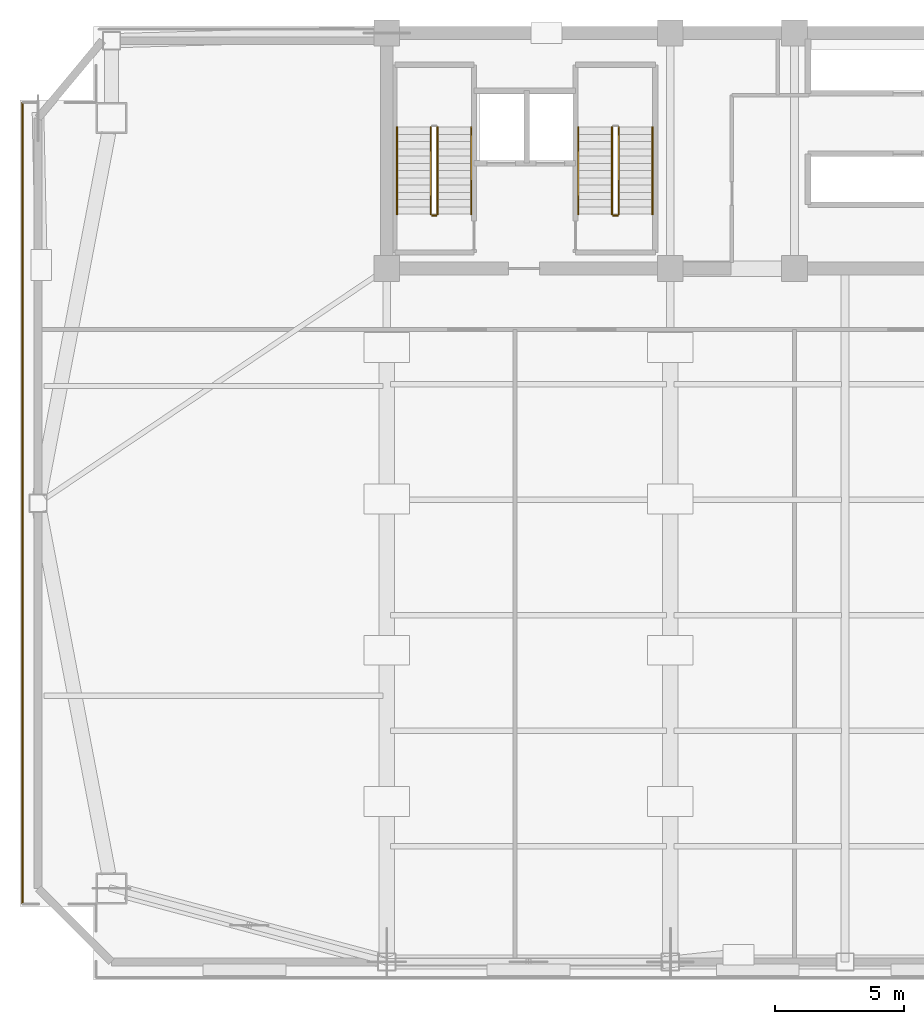
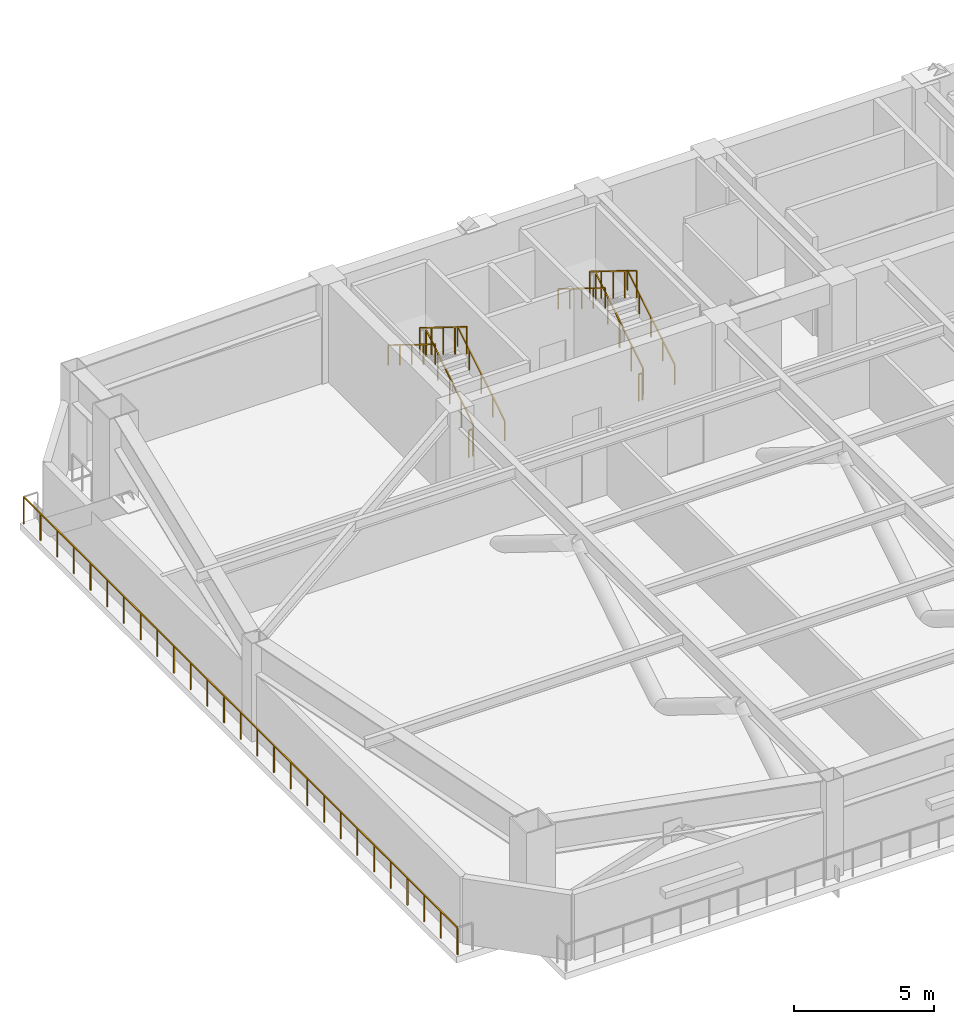
# One storey, part 7 of 11: 11 railings.
"""IFC4 building model written with IfcOpenShell, lengths in metres."""

import ifcopenshell
import ifcopenshell.guid

model = None  # the IFC model being written
_history = None  # IfcOwnerHistory: only IFC2X3 demands one
_inside = {}  # id of a spatial element -> (the spatial element, [elements in it])
_under = {}  # id of a project, library or spatial element -> (it, [spatial elements below it])
_declared = {}  # id of a project -> (the project, [libraries it declares])
_typed = {}  # id of a type object -> (the type object, [elements of that type])
_made_of = {}  # id of a material, layer set ... -> (it, [elements and type objects made of it])


def new_model(schema):
    """Start an empty IFC model of exactly this schema.

    Asked for "IFC4X3", IfcOpenShell would pick the latest addendum, in which some entities
    have other attributes; the version numbers below select the first issue.
    IFC2X3 requires an IfcOwnerHistory on every rooted entity: one is made here for all.
    """
    global model, _history
    if schema == "IFC4X3":
        model = ifcopenshell.file(schema_version=(4, 3, 0, 0))
    else:
        model = ifcopenshell.file(schema=schema)
    _inside.clear()
    _under.clear()
    _declared.clear()
    _typed.clear()
    _made_of.clear()
    _history = None
    if model.schema == "IFC2X3":
        org = make("IfcOrganization", Name="unknown")
        user = make(
            "IfcPersonAndOrganization",
            ThePerson=make("IfcPerson", FamilyName="unknown"),
            TheOrganization=org,
        )
        app = make(
            "IfcApplication",
            ApplicationDeveloper=org,
            Version="unknown",
            ApplicationFullName="unknown",
            ApplicationIdentifier="unknown",
        )
        _history = make(
            "IfcOwnerHistory",
            OwningUser=user,
            OwningApplication=app,
            ChangeAction="ADDED",
            CreationDate=0,
        )
    return model


def make(cls, **values):
    """One entity of the class cls with the attributes given. An attribute that is None is left unset."""
    return model.create_entity(
        cls, **{name: value for name, value in values.items() if value is not None}
    )


def rooted(cls, **values):
    """An entity with a GlobalId (a new one), such as an element, a storey or a relation."""
    return make(cls, GlobalId=ifcopenshell.guid.new(), OwnerHistory=_history, **values)


def si_unit(unit_type, name, prefix=None):
    """IfcSIUnit, for example si_unit("LENGTHUNIT", "METRE", prefix="MILLI")."""
    return make("IfcSIUnit", UnitType=unit_type, Prefix=prefix, Name=name)


def assignment(units):
    """IfcUnitAssignment: the units of a project."""
    return None if units is None else make("IfcUnitAssignment", Units=units)


def point(xyz):
    """IfcCartesianPoint."""
    return None if xyz is None else make("IfcCartesianPoint", Coordinates=xyz)


def direction(xyz):
    """IfcDirection."""
    return None if xyz is None else make("IfcDirection", DirectionRatios=xyz)


def frame(location, z_axis=None, x_axis=None):
    """IfcAxis2Placement3D, a coordinate frame: its origin and axes. An axis left out is left unset."""
    return make(
        "IfcAxis2Placement3D",
        Location=point(location),
        Axis=direction(z_axis),
        RefDirection=direction(x_axis),
    )


def frame_2d(location, x_axis=None):
    """IfcAxis2Placement2D, a coordinate frame in the plane: its origin and x axis."""
    return make(
        "IfcAxis2Placement2D", Location=point(location), RefDirection=direction(x_axis)
    )


def origin():
    """The frame at (0, 0, 0) with its axes left unset."""
    return frame((0.0, 0.0, 0.0))


def origin_2d():
    """The frame at (0, 0) in the plane with its x axis left unset."""
    return frame_2d((0.0, 0.0))


def place(relative_to, where):
    """IfcLocalPlacement: puts the frame where relative to a parent placement (None: the world)."""
    return make(
        "IfcLocalPlacement", PlacementRelTo=relative_to, RelativePlacement=where
    )


def context(
    kind, dimensions, precision=None, world=None, true_north=None, identifier=None
):
    """IfcGeometricRepresentationContext, for example the 3D "Model" context."""
    return make(
        "IfcGeometricRepresentationContext",
        ContextIdentifier=identifier,
        ContextType=kind,
        CoordinateSpaceDimension=dimensions,
        Precision=precision,
        WorldCoordinateSystem=world,
        TrueNorth=true_north,
    )


def subcontext(parent, identifier, kind, view, scale=None):
    """IfcGeometricRepresentationSubContext, for example "Body" below "Model"."""
    return make(
        "IfcGeometricRepresentationSubContext",
        ContextIdentifier=identifier,
        ContextType=kind,
        ParentContext=parent,
        TargetScale=scale,
        TargetView=view,
    )


def project(units=None, contexts=None):
    """IfcProject with its units and contexts."""
    return rooted(
        "IfcProject",
        Name="project",
        RepresentationContexts=contexts,
        UnitsInContext=assignment(units),
    )


def spatial(cls, under=None, at=None, **own):
    """A site, building, storey or space (cls), placed at a placement, below another one or the project."""
    s = rooted(cls, ObjectPlacement=at, **own)
    if under is not None:
        _under.setdefault(under.id(), (under, []))[1].append(s)
    return s


def profile(cls, at=None, kind="AREA", **sizes):
    """A parametric profile (cls). Its sizes go by their IFC names, for example OverallWidth=200.0."""
    return make(cls, ProfileType=kind, Position=at, **sizes)


def rectangle(**sizes):
    """IfcRectangleProfileDef."""
    return profile("IfcRectangleProfileDef", **sizes)


def extrude(swept, where, along, depth):
    """IfcExtrudedAreaSolid: the profile swept, set in the frame where, extruded along a direction by depth."""
    return make(
        "IfcExtrudedAreaSolid",
        SweptArea=swept,
        Position=where,
        ExtrudedDirection=direction(along),
        Depth=depth,
    )


def shape(context_of_items, identifier, shape_type, items):
    """IfcShapeRepresentation: the items that make up one representation, for example the "Body"."""
    return make(
        "IfcShapeRepresentation",
        ContextOfItems=context_of_items,
        RepresentationIdentifier=identifier,
        RepresentationType=shape_type,
        Items=items,
    )


def material(Name=None, Category=None):
    """IfcMaterial."""
    return make("IfcMaterial", Name=Name, Category=Category)


def made_of(thing, what):
    """Note that an element or type object is made of a material, layer set ...; save() writes the relation."""
    if what is not None:
        _made_of.setdefault(what.id(), (what, []))[1].append(thing)
    return thing


def type_object(cls, material=None, **own):
    """A type object (cls), such as IfcWallType, which elements share."""
    return made_of(rooted(cls, **own), material)


def element(
    cls,
    number,
    at=None,
    inside=None,
    cuts=None,
    type_object=None,
    material=None,
    context=None,
    identifier="Body",
    shape_type=None,
    held_by="IfcProductDefinitionShape",
    body=None,
    shapes=None,
    **own,
):
    """One element of the class cls, such as IfcWall. Its Tag is "e" and its number.

    at: its placement. inside: the storey or other place that contains it. cuts: it is an
    opening in that element (IfcRelVoidsElement). A single representation is given by context,
    identifier, shape_type and body (its items); several are given by shapes. held_by: the class
    of the entity that holds the representations. save() writes the other relations.
    """
    e = rooted(cls, Tag="e%d" % number, ObjectPlacement=at, **own)
    if body is not None:
        shapes = [shape(context, identifier, shape_type, body)]
    if shapes is not None:
        e.Representation = make(held_by, Representations=shapes)
    if inside is not None:
        _inside.setdefault(inside.id(), (inside, []))[1].append(e)
    if cuts is not None:
        rooted(
            "IfcRelVoidsElement", RelatingBuildingElement=cuts, RelatedOpeningElement=e
        )
    if type_object is not None:
        _typed.setdefault(type_object.id(), (type_object, []))[1].append(e)
    return made_of(e, material)


def aggregate(whole, parts):
    """IfcRelAggregates: a whole, such as a stair, and the parts it consists of."""
    return rooted("IfcRelAggregates", RelatingObject=whole, RelatedObjects=parts)


def save(model, path):
    """Write the relations noted so far, then the file.

    IfcRelAggregates (storeys below a building ...), IfcRelContainedInSpatialStructure (elements
    in a storey), IfcRelDefinesByType, IfcRelAssociatesMaterial and IfcRelDeclares: one each for
    every whole, place, type object, material and project.
    """
    for whole, parts in _under.values():
        aggregate(whole, parts)
    for where, things in _inside.values():
        rooted(
            "IfcRelContainedInSpatialStructure",
            RelatedElements=things,
            RelatingStructure=where,
        )
    for kind, things in _typed.values():
        rooted("IfcRelDefinesByType", RelatedObjects=things, RelatingType=kind)
    for what, things in _made_of.values():
        rooted("IfcRelAssociatesMaterial", RelatedObjects=things, RelatingMaterial=what)
    for by, libraries in _declared.values():
        rooted("IfcRelDeclares", RelatingContext=by, RelatedDefinitions=libraries)
    model.write(path)


model = new_model("IFC4")

# Units and contexts
model_context = context("Model", 3, precision=1e-05, world=origin(), true_north=direction((0.0, 1.0)))
body_context = subcontext(model_context, "Body", "Model", "MODEL_VIEW")
ifc_project = project(units=[si_unit("LENGTHUNIT", "METRE"), si_unit("AREAUNIT", "SQUARE_METRE"), si_unit("VOLUMEUNIT", "CUBIC_METRE"), si_unit("PLANEANGLEUNIT", "RADIAN"), si_unit("MASSUNIT", "GRAM", prefix="KILO")], contexts=[model_context])

# Site, building, storey
site_placement = place(None, origin())
site = spatial("IfcSite", under=ifc_project, at=site_placement, CompositionType="ELEMENT")
building_placement = place(site_placement, origin())
building = spatial("IfcBuilding", under=site, at=building_placement, Name="Giltprow Tower", CompositionType="ELEMENT")
storey_placement = place(building_placement, frame((0.0, 0.0, 191.199951171875)))
storey = spatial("IfcBuildingStorey", under=building, at=storey_placement, Name="L48", CompositionType="ELEMENT", Elevation=191.199951171875)

# Railings
ifc_material = material(Name="Anodized bronze", Category="metal")
railing_type_1 = type_object("IfcRailingType", Name="RAIL-BALC-GUARD-1200", PredefinedType="BALUSTRADE", material=ifc_material)
railing_1_placement = place(storey_placement, frame((5.7890625, 12.916015625, 0.0)))
element("IfcRailing", 1, at=railing_1_placement, inside=storey, type_object=railing_type_1, Name="L48 Corner Apron Edge Balustrade 3", PredefinedType="BALUSTRADE", context=body_context, shape_type="SweptSolid", body=[
    extrude(rectangle(XDim=0.048095703125, YDim=0.048095703125, at=origin_2d()), frame((0.0, 0.0, 1.17578125), z_axis=(0.0, 1.0, 0.0), x_axis=(-1.0, 0.0, 0.0)), (0.0, 0.0, 1.0), 30.948974609375),
    extrude(rectangle(XDim=0.0419921875, YDim=0.0419921875, at=origin_2d()), origin(), (0.0, 0.0, 1.0), 1.15185546875),
    extrude(rectangle(XDim=0.0419921875, YDim=0.0419921875, at=origin_2d()), frame((0.0, 1.1904296875, 0.0)), (0.0, 0.0, 1.0), 1.15185546875),
    extrude(rectangle(XDim=0.0419921875, YDim=0.0419921875, at=origin_2d()), frame((0.0, 2.380615234375, 0.0)), (0.0, 0.0, 1.0), 1.15185546875),
    extrude(rectangle(XDim=0.0419921875, YDim=0.0419921875, at=origin_2d()), frame((0.0, 3.571044921875, 0.0)), (0.0, 0.0, 1.0), 1.15185546875),
    extrude(rectangle(XDim=0.0419921875, YDim=0.0419921875, at=origin_2d()), frame((0.0, 4.761474609375, 0.0)), (0.0, 0.0, 1.0), 1.15185546875),
    extrude(rectangle(XDim=0.0419921875, YDim=0.0419921875, at=origin_2d()), frame((0.0, 5.95166015625, 0.0)), (0.0, 0.0, 1.0), 1.15185546875),
    extrude(rectangle(XDim=0.0419921875, YDim=0.0419921875, at=origin_2d()), frame((0.0, 7.14208984375, 0.0)), (0.0, 0.0, 1.0), 1.15185546875),
    extrude(rectangle(XDim=0.0419921875, YDim=0.0419921875, at=origin_2d()), frame((0.0, 8.33251953125, 0.0)), (0.0, 0.0, 1.0), 1.15185546875),
    extrude(rectangle(XDim=0.0419921875, YDim=0.0419921875, at=origin_2d()), frame((0.0, 9.522705078125, 0.0)), (0.0, 0.0, 1.0), 1.15185546875),
    extrude(rectangle(XDim=0.0419921875, YDim=0.0419921875, at=origin_2d()), frame((0.0, 10.713134765625, 0.0)), (0.0, 0.0, 1.0), 1.15185546875),
    extrude(rectangle(XDim=0.0419921875, YDim=0.0419921875, at=origin_2d()), frame((0.0, 11.903564453125, 0.0)), (0.0, 0.0, 1.0), 1.15185546875),
    extrude(rectangle(XDim=0.0419921875, YDim=0.0419921875, at=origin_2d()), frame((0.0, 13.09375, 0.0)), (0.0, 0.0, 1.0), 1.15185546875),
    extrude(rectangle(XDim=0.0419921875, YDim=0.0419921875, at=origin_2d()), frame((0.0, 14.2841796875, 0.0)), (0.0, 0.0, 1.0), 1.15185546875),
    extrude(rectangle(XDim=0.0419921875, YDim=0.0419921875, at=origin_2d()), frame((0.0, 15.474609375, 0.0)), (0.0, 0.0, 1.0), 1.15185546875),
    extrude(rectangle(XDim=0.0419921875, YDim=0.0419921875, at=origin_2d()), frame((0.0, 16.664794921875, 0.0)), (0.0, 0.0, 1.0), 1.15185546875),
    extrude(rectangle(XDim=0.0419921875, YDim=0.0419921875, at=origin_2d()), frame((0.0, 17.855224609375, 0.0)), (0.0, 0.0, 1.0), 1.15185546875),
    extrude(rectangle(XDim=0.0419921875, YDim=0.0419921875, at=origin_2d()), frame((0.0, 19.04541015625, 0.0)), (0.0, 0.0, 1.0), 1.15185546875),
    extrude(rectangle(XDim=0.0419921875, YDim=0.0419921875, at=origin_2d()), frame((0.0, 20.23583984375, 0.0)), (0.0, 0.0, 1.0), 1.15185546875),
    extrude(rectangle(XDim=0.0419921875, YDim=0.0419921875, at=origin_2d()), frame((0.0, 21.42626953125, 0.0)), (0.0, 0.0, 1.0), 1.15185546875),
    extrude(rectangle(XDim=0.0419921875, YDim=0.0419921875, at=origin_2d()), frame((0.0, 22.616455078125, 0.0)), (0.0, 0.0, 1.0), 1.15185546875),
    extrude(rectangle(XDim=0.0419921875, YDim=0.0419921875, at=origin_2d()), frame((0.0, 23.806884765625, 0.0)), (0.0, 0.0, 1.0), 1.15185546875),
    extrude(rectangle(XDim=0.0419921875, YDim=0.0419921875, at=origin_2d()), frame((0.0, 24.997314453125, 0.0)), (0.0, 0.0, 1.0), 1.15185546875),
    extrude(rectangle(XDim=0.0419921875, YDim=0.0419921875, at=origin_2d()), frame((0.0, 26.1875, 0.0)), (0.0, 0.0, 1.0), 1.15185546875),
    extrude(rectangle(XDim=0.0419921875, YDim=0.0419921875, at=origin_2d()), frame((0.0, 27.3779296875, 0.0)), (0.0, 0.0, 1.0), 1.15185546875),
    extrude(rectangle(XDim=0.0419921875, YDim=0.0419921875, at=origin_2d()), frame((0.0, 28.568359375, 0.0)), (0.0, 0.0, 1.0), 1.15185546875),
    extrude(rectangle(XDim=0.0419921875, YDim=0.0419921875, at=origin_2d()), frame((0.0, 29.758544921875, 0.0)), (0.0, 0.0, 1.0), 1.15185546875),
    extrude(rectangle(XDim=0.0419921875, YDim=0.0419921875, at=origin_2d()), frame((0.0, 30.948974609375, 0.0)), (0.0, 0.0, 1.0), 1.15185546875),
])
railing_type_2 = type_object("IfcRailingType", Name="RAIL-STAIR-GUARD-1200", PredefinedType="GUARDRAIL", material=ifc_material)
railing_2_placement = place(storey_placement, frame((21.81005859375, 39.550048828125, 0.173095703125)))
element("IfcRailing", 2, at=railing_2_placement, inside=storey, type_object=railing_type_2, Name="L48 ST-1 stair guard 1", PredefinedType="GUARDRAIL", context=body_context, shape_type="SweptSolid", body=[
    extrude(rectangle(XDim=0.048095703125, YDim=0.048095703125, at=origin_2d()), frame((0.0, 0.0, 1.17578125), z_axis=(0.0, 0.850606129759, 0.525803396734), x_axis=(-1.0, 0.0, 0.0)), (0.0, 0.0, 1.0), 3.949951171875),
    extrude(rectangle(XDim=0.0419921875, YDim=0.0419921875, at=origin_2d()), origin(), (0.0, 0.0, 1.0), 1.15185546875),
    extrude(rectangle(XDim=0.0419921875, YDim=0.0419921875, at=origin_2d()), frame((0.0, 0.83984375, 0.519287109375)), (0.0, 0.0, 1.0), 1.15185546875),
    extrude(rectangle(XDim=0.0419921875, YDim=0.0419921875, at=origin_2d()), frame((0.0, 1.679931640625, 1.03857421875)), (0.0, 0.0, 1.0), 1.15185546875),
    extrude(rectangle(XDim=0.0419921875, YDim=0.0419921875, at=origin_2d()), frame((0.0, 2.52001953125, 1.5576171875)), (0.0, 0.0, 1.0), 1.15185546875),
    extrude(rectangle(XDim=0.0419921875, YDim=0.0419921875, at=origin_2d()), frame((0.0, 3.35986328125, 2.076904296875)), (0.0, 0.0, 1.0), 1.15185546875),
])
railing_3_placement = place(storey_placement, frame((21.550048828125, 42.909912109375, 2.423095703125)))
element("IfcRailing", 3, at=railing_3_placement, inside=storey, type_object=railing_type_2, Name="L48 ST-1 stair guard 3", PredefinedType="GUARDRAIL", context=body_context, shape_type="SweptSolid", body=[
    extrude(rectangle(XDim=0.048095703125, YDim=0.048095703125, at=origin_2d()), frame((0.0, 0.0, 1.17578125), z_axis=(0.0, -0.850606129759, 0.525803396734), x_axis=(1.0, 0.0, 0.0)), (0.0, 0.0, 1.0), 3.949951171875),
    extrude(rectangle(XDim=0.0419921875, YDim=0.0419921875, at=origin_2d()), origin(), (0.0, 0.0, 1.0), 1.15185546875),
    extrude(rectangle(XDim=0.0419921875, YDim=0.0419921875, at=origin_2d()), frame((0.0, -0.83984375, 0.519287109375)), (0.0, 0.0, 1.0), 1.15185546875),
    extrude(rectangle(XDim=0.0419921875, YDim=0.0419921875, at=origin_2d()), frame((0.0, -1.679931640625, 1.03857421875)), (0.0, 0.0, 1.0), 1.15185546875),
    extrude(rectangle(XDim=0.0419921875, YDim=0.0419921875, at=origin_2d()), frame((0.0, -2.52001953125, 1.5576171875)), (0.0, 0.0, 1.0), 1.15185546875),
    extrude(rectangle(XDim=0.0419921875, YDim=0.0419921875, at=origin_2d()), frame((0.0, -3.35986328125, 2.076904296875)), (0.0, 0.0, 1.0), 1.15185546875),
])
railing_4_placement = place(storey_placement, frame((21.760009765625, 39.5, 0.0)))
element("IfcRailing", 4, at=railing_4_placement, inside=storey, type_object=railing_type_2, Name="L48 ST-1 stair guard 4", PredefinedType="GUARDRAIL", context=body_context, shape_type="SweptSolid", body=[
    extrude(rectangle(XDim=0.048095703125, YDim=0.048095703125, at=origin_2d()), frame((0.0, 0.0, 1.17578125), z_axis=(-1.0, 0.0, 0.0), x_axis=(0.0, -1.0, 0.0)), (0.0, 0.0, 1.0), 0.159912109375),
    extrude(rectangle(XDim=0.0419921875, YDim=0.0419921875, at=origin_2d()), origin(), (0.0, 0.0, 1.0), 1.15185546875),
    extrude(rectangle(XDim=0.0419921875, YDim=0.0419921875, at=origin_2d()), frame((-0.159912109375, 0.0, 0.0)), (0.0, 0.0, 1.0), 1.15185546875),
])
railing_5_placement = place(storey_placement, frame((28.81005859375, 39.550048828125, 0.173095703125)))
element("IfcRailing", 5, at=railing_5_placement, inside=storey, type_object=railing_type_2, Name="L48 ST-2 stair guard 1", PredefinedType="GUARDRAIL", context=body_context, shape_type="SweptSolid", body=[
    extrude(rectangle(XDim=0.048095703125, YDim=0.048095703125, at=origin_2d()), frame((0.0, 0.0, 1.17578125), z_axis=(0.0, 0.850606129759, 0.525803396734), x_axis=(-1.0, 0.0, 0.0)), (0.0, 0.0, 1.0), 3.949951171875),
    extrude(rectangle(XDim=0.0419921875, YDim=0.0419921875, at=origin_2d()), origin(), (0.0, 0.0, 1.0), 1.15185546875),
    extrude(rectangle(XDim=0.0419921875, YDim=0.0419921875, at=origin_2d()), frame((0.0, 0.83984375, 0.519287109375)), (0.0, 0.0, 1.0), 1.15185546875),
    extrude(rectangle(XDim=0.0419921875, YDim=0.0419921875, at=origin_2d()), frame((0.0, 1.679931640625, 1.03857421875)), (0.0, 0.0, 1.0), 1.15185546875),
    extrude(rectangle(XDim=0.0419921875, YDim=0.0419921875, at=origin_2d()), frame((0.0, 2.52001953125, 1.5576171875)), (0.0, 0.0, 1.0), 1.15185546875),
    extrude(rectangle(XDim=0.0419921875, YDim=0.0419921875, at=origin_2d()), frame((0.0, 3.35986328125, 2.076904296875)), (0.0, 0.0, 1.0), 1.15185546875),
])
railing_6_placement = place(storey_placement, frame((28.550048828125, 42.909912109375, 2.423095703125)))
element("IfcRailing", 6, at=railing_6_placement, inside=storey, type_object=railing_type_2, Name="L48 ST-2 stair guard 3", PredefinedType="GUARDRAIL", context=body_context, shape_type="SweptSolid", body=[
    extrude(rectangle(XDim=0.048095703125, YDim=0.048095703125, at=origin_2d()), frame((0.0, 0.0, 1.17578125), z_axis=(0.0, -0.850606129759, 0.525803396734), x_axis=(1.0, 0.0, 0.0)), (0.0, 0.0, 1.0), 3.949951171875),
    extrude(rectangle(XDim=0.0419921875, YDim=0.0419921875, at=origin_2d()), origin(), (0.0, 0.0, 1.0), 1.15185546875),
    extrude(rectangle(XDim=0.0419921875, YDim=0.0419921875, at=origin_2d()), frame((0.0, -0.83984375, 0.519287109375)), (0.0, 0.0, 1.0), 1.15185546875),
    extrude(rectangle(XDim=0.0419921875, YDim=0.0419921875, at=origin_2d()), frame((0.0, -1.679931640625, 1.03857421875)), (0.0, 0.0, 1.0), 1.15185546875),
    extrude(rectangle(XDim=0.0419921875, YDim=0.0419921875, at=origin_2d()), frame((0.0, -2.52001953125, 1.5576171875)), (0.0, 0.0, 1.0), 1.15185546875),
    extrude(rectangle(XDim=0.0419921875, YDim=0.0419921875, at=origin_2d()), frame((0.0, -3.35986328125, 2.076904296875)), (0.0, 0.0, 1.0), 1.15185546875),
])
railing_7_placement = place(storey_placement, frame((28.760009765625, 39.5, 0.0)))
element("IfcRailing", 7, at=railing_7_placement, inside=storey, type_object=railing_type_2, Name="L48 ST-2 stair guard 4", PredefinedType="GUARDRAIL", context=body_context, shape_type="SweptSolid", body=[
    extrude(rectangle(XDim=0.048095703125, YDim=0.048095703125, at=origin_2d()), frame((0.0, 0.0, 1.17578125), z_axis=(-1.0, 0.0, 0.0), x_axis=(0.0, -1.0, 0.0)), (0.0, 0.0, 1.0), 0.159912109375),
    extrude(rectangle(XDim=0.0419921875, YDim=0.0419921875, at=origin_2d()), origin(), (0.0, 0.0, 1.0), 1.15185546875),
    extrude(rectangle(XDim=0.0419921875, YDim=0.0419921875, at=origin_2d()), frame((-0.159912109375, 0.0, 0.0)), (0.0, 0.0, 1.0), 1.15185546875),
])
railing_type_3 = type_object("IfcRailingType", Name="RAIL-STAIR-HAND-900", PredefinedType="HANDRAIL", material=ifc_material)
railing_8_placement = place(storey_placement, frame((23.110107421875, 39.550048828125, 0.173095703125)))
element("IfcRailing", 8, at=railing_8_placement, inside=storey, type_object=railing_type_3, Name="L48 ST-1 stair handrail 1", PredefinedType="HANDRAIL", context=body_context, shape_type="SweptSolid", body=[
    extrude(rectangle(XDim=0.048095703125, YDim=0.048095703125, at=origin_2d()), frame((0.0, 0.0, 0.8759765625), z_axis=(0.0, 0.850606129759, 0.525803396734), x_axis=(-1.0, 0.0, 0.0)), (0.0, 0.0, 1.0), 3.949951171875),
    extrude(rectangle(XDim=0.0419921875, YDim=0.0419921875, at=origin_2d()), origin(), (0.0, 0.0, 1.0), 0.851806640625),
    extrude(rectangle(XDim=0.0419921875, YDim=0.0419921875, at=origin_2d()), frame((0.0, 0.83984375, 0.519287109375)), (0.0, 0.0, 1.0), 0.851806640625),
    extrude(rectangle(XDim=0.0419921875, YDim=0.0419921875, at=origin_2d()), frame((0.0, 1.679931640625, 1.03857421875)), (0.0, 0.0, 1.0), 0.851806640625),
    extrude(rectangle(XDim=0.0419921875, YDim=0.0419921875, at=origin_2d()), frame((0.0, 2.52001953125, 1.5576171875)), (0.0, 0.0, 1.0), 0.851806640625),
    extrude(rectangle(XDim=0.0419921875, YDim=0.0419921875, at=origin_2d()), frame((0.0, 3.35986328125, 2.076904296875)), (0.0, 0.0, 1.0), 0.851806640625),
])
railing_9_placement = place(storey_placement, frame((20.25, 42.909912109375, 2.423095703125)))
element("IfcRailing", 9, at=railing_9_placement, inside=storey, type_object=railing_type_3, Name="L48 ST-1 stair handrail 2", PredefinedType="HANDRAIL", context=body_context, shape_type="SweptSolid", body=[
    extrude(rectangle(XDim=0.048095703125, YDim=0.048095703125, at=origin_2d()), frame((0.0, 0.0, 0.8759765625), z_axis=(0.0, -0.850606129759, 0.525803396734), x_axis=(1.0, 0.0, 0.0)), (0.0, 0.0, 1.0), 3.949951171875),
    extrude(rectangle(XDim=0.0419921875, YDim=0.0419921875, at=origin_2d()), origin(), (0.0, 0.0, 1.0), 0.851806640625),
    extrude(rectangle(XDim=0.0419921875, YDim=0.0419921875, at=origin_2d()), frame((0.0, -0.83984375, 0.519287109375)), (0.0, 0.0, 1.0), 0.851806640625),
    extrude(rectangle(XDim=0.0419921875, YDim=0.0419921875, at=origin_2d()), frame((0.0, -1.679931640625, 1.03857421875)), (0.0, 0.0, 1.0), 0.851806640625),
    extrude(rectangle(XDim=0.0419921875, YDim=0.0419921875, at=origin_2d()), frame((0.0, -2.52001953125, 1.5576171875)), (0.0, 0.0, 1.0), 0.851806640625),
    extrude(rectangle(XDim=0.0419921875, YDim=0.0419921875, at=origin_2d()), frame((0.0, -3.35986328125, 2.076904296875)), (0.0, 0.0, 1.0), 0.851806640625),
])
railing_10_placement = place(storey_placement, frame((30.110107421875, 39.550048828125, 0.173095703125)))
element("IfcRailing", 10, at=railing_10_placement, inside=storey, type_object=railing_type_3, Name="L48 ST-2 stair handrail 1", PredefinedType="HANDRAIL", context=body_context, shape_type="SweptSolid", body=[
    extrude(rectangle(XDim=0.048095703125, YDim=0.048095703125, at=origin_2d()), frame((0.0, 0.0, 0.8759765625), z_axis=(0.0, 0.850606129759, 0.525803396734), x_axis=(-1.0, 0.0, 0.0)), (0.0, 0.0, 1.0), 3.949951171875),
    extrude(rectangle(XDim=0.0419921875, YDim=0.0419921875, at=origin_2d()), origin(), (0.0, 0.0, 1.0), 0.851806640625),
    extrude(rectangle(XDim=0.0419921875, YDim=0.0419921875, at=origin_2d()), frame((0.0, 0.83984375, 0.519287109375)), (0.0, 0.0, 1.0), 0.851806640625),
    extrude(rectangle(XDim=0.0419921875, YDim=0.0419921875, at=origin_2d()), frame((0.0, 1.679931640625, 1.03857421875)), (0.0, 0.0, 1.0), 0.851806640625),
    extrude(rectangle(XDim=0.0419921875, YDim=0.0419921875, at=origin_2d()), frame((0.0, 2.52001953125, 1.5576171875)), (0.0, 0.0, 1.0), 0.851806640625),
    extrude(rectangle(XDim=0.0419921875, YDim=0.0419921875, at=origin_2d()), frame((0.0, 3.35986328125, 2.076904296875)), (0.0, 0.0, 1.0), 0.851806640625),
])
railing_11_placement = place(storey_placement, frame((27.25, 42.909912109375, 2.423095703125)))
element("IfcRailing", 11, at=railing_11_placement, inside=storey, type_object=railing_type_3, Name="L48 ST-2 stair handrail 2", PredefinedType="HANDRAIL", context=body_context, shape_type="SweptSolid", body=[
    extrude(rectangle(XDim=0.048095703125, YDim=0.048095703125, at=origin_2d()), frame((0.0, 0.0, 0.8759765625), z_axis=(0.0, -0.850606129759, 0.525803396734), x_axis=(1.0, 0.0, 0.0)), (0.0, 0.0, 1.0), 3.949951171875),
    extrude(rectangle(XDim=0.0419921875, YDim=0.0419921875, at=origin_2d()), origin(), (0.0, 0.0, 1.0), 0.851806640625),
    extrude(rectangle(XDim=0.0419921875, YDim=0.0419921875, at=origin_2d()), frame((0.0, -0.83984375, 0.519287109375)), (0.0, 0.0, 1.0), 0.851806640625),
    extrude(rectangle(XDim=0.0419921875, YDim=0.0419921875, at=origin_2d()), frame((0.0, -1.679931640625, 1.03857421875)), (0.0, 0.0, 1.0), 0.851806640625),
    extrude(rectangle(XDim=0.0419921875, YDim=0.0419921875, at=origin_2d()), frame((0.0, -2.52001953125, 1.5576171875)), (0.0, 0.0, 1.0), 0.851806640625),
    extrude(rectangle(XDim=0.0419921875, YDim=0.0419921875, at=origin_2d()), frame((0.0, -3.35986328125, 2.076904296875)), (0.0, 0.0, 1.0), 0.851806640625),
])

save(model, "model.ifc")
